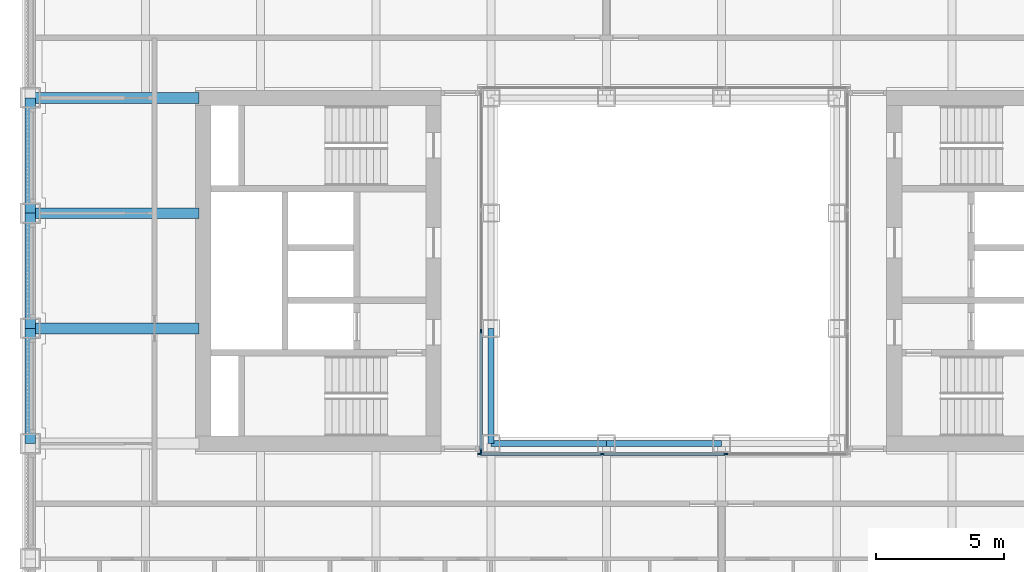
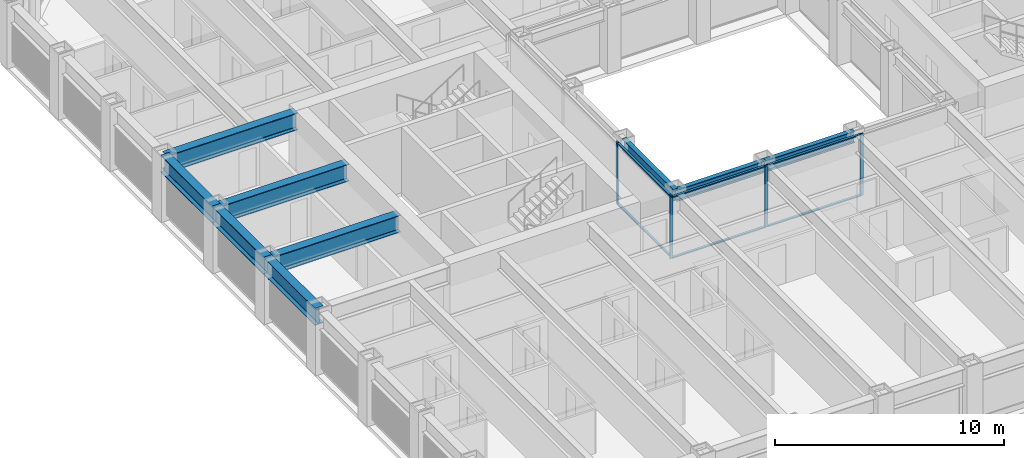
# One storey, part 3 of 21: 11 members, 9 beams, 2 elements without a shape of their own.
"""IFC4 building model written with IfcOpenShell, lengths in metres."""

from ifc_helpers import new_model, si_unit, direction, frame, origin, origin_2d, place, context, subcontext, project, spatial, rectangle, i_section, extrude, material, material_profile, profile_set, type_object, element, aggregate, save


model = new_model("IFC4")

# Units and contexts
model_context = context("Model", 3, precision=1e-05, world=origin(), true_north=direction((0.0, 1.0)))
body_context = subcontext(model_context, "Body", "Model", "MODEL_VIEW")
ifc_project = project(units=[si_unit("LENGTHUNIT", "METRE"), si_unit("AREAUNIT", "SQUARE_METRE"), si_unit("VOLUMEUNIT", "CUBIC_METRE"), si_unit("PLANEANGLEUNIT", "RADIAN"), si_unit("MASSUNIT", "GRAM", prefix="KILO")], contexts=[model_context])

# Site, building, storey
site_placement = place(None, origin())
site = spatial("IfcSite", under=ifc_project, at=site_placement, CompositionType="ELEMENT")
building_placement = place(site_placement, origin())
building = spatial("IfcBuilding", under=site, at=building_placement, Name="Msasa Ring Tower", CompositionType="ELEMENT")
storey_placement = place(building_placement, frame((0.0, 0.0, 82.5)))
storey = spatial("IfcBuildingStorey", under=building, at=storey_placement, Name="L21", CompositionType="ELEMENT", Elevation=82.5)

# Curtain wall, members
ifc_material_1 = material(Name="Aluminium curtain wall with clear glass", Category="aluminium")
curtain_wall_type = type_object("IfcCurtainWallType", Name="CW-W LIGHT WELL CURTAIN WALL", PredefinedType="NOTDEFINED", material=ifc_material_1)
curtain_wall_1_placement = place(storey_placement, origin())
curtain_wall_1 = element("IfcCurtainWall", 1, at=curtain_wall_1_placement, inside=storey, type_object=curtain_wall_type, Name="Light well curtain wall S L21", PredefinedType="NOTDEFINED")
ifc_material_2 = material(Name="Aluminium mullion", Category="aluminium")
ifc_material_profile_1 = material_profile(ifc_material_2, rectangle(XDim=0.06005859375, YDim=0.159912109375, at=origin_2d()), Name="AL 60x160")
ifc_profile_set_1 = profile_set([ifc_material_profile_1], Name="Aluminium mullion")
member_type_1 = type_object("IfcMemberType", Name="CW-W MULLION 60x160", PredefinedType="MULLION", material=ifc_profile_set_1)
member_1_placement = place(storey_placement, frame((-7.199951171875, -7.14990234375, 0.0), z_axis=(0.0, 0.0, 1.0), x_axis=(0.0, 1.0, 0.0)))
member_1 = element("IfcMember", 2, at=member_1_placement, type_object=member_type_1, Name="CW-W mullion 1", PredefinedType="MULLION", context=body_context, shape_type="SweptSolid", body=[
    extrude(rectangle(XDim=0.06005859375, YDim=0.159912109375, at=origin_2d()), origin(), (0.0, 0.0, 1.0), 3.300048828125),
])
member_2_placement = place(storey_placement, frame((-2.409912109375, -7.14990234375, 0.0), z_axis=(0.0, 0.0, 1.0), x_axis=(0.0, 1.0, 0.0)))
member_2 = element("IfcMember", 3, at=member_2_placement, type_object=member_type_1, Name="CW-W mullion 2", PredefinedType="MULLION", context=body_context, shape_type="SweptSolid", body=[
    extrude(rectangle(XDim=0.06005859375, YDim=0.159912109375, at=origin_2d()), origin(), (0.0, 0.0, 1.0), 3.300048828125),
])
member_3_placement = place(storey_placement, frame((2.409912109375, -7.14990234375, 0.0), z_axis=(0.0, 0.0, 1.0), x_axis=(0.0, 1.0, 0.0)))
member_3 = element("IfcMember", 4, at=member_3_placement, type_object=member_type_1, Name="CW-W mullion 3", PredefinedType="MULLION", context=body_context, shape_type="SweptSolid", body=[
    extrude(rectangle(XDim=0.06005859375, YDim=0.159912109375, at=origin_2d()), origin(), (0.0, 0.0, 1.0), 3.300048828125),
])

curtain_wall_2_placement = place(storey_placement, origin())
curtain_wall_2 = element("IfcCurtainWall", 5, at=curtain_wall_2_placement, inside=storey, type_object=curtain_wall_type, Name="Light well curtain wall W L21", PredefinedType="NOTDEFINED")
member_4_placement = place(storey_placement, frame((-7.14990234375, -7.0400390625, 0.0), z_axis=(0.0, 0.0, 1.0), x_axis=(-1.0, 0.0, 0.0)))
member_4 = element("IfcMember", 6, at=member_4_placement, type_object=member_type_1, Name="CW-W mullion 1", PredefinedType="MULLION", context=body_context, shape_type="SweptSolid", body=[
    extrude(rectangle(XDim=0.06005859375, YDim=0.159912109375, at=origin_2d()), origin(), (0.0, 0.0, 1.0), 3.300048828125),
])
member_5_placement = place(storey_placement, frame((-7.14990234375, -2.356689453125, 0.0), z_axis=(0.0, 0.0, 1.0), x_axis=(-1.0, 0.0, 0.0)))
member_5 = element("IfcMember", 7, at=member_5_placement, type_object=member_type_1, Name="CW-W mullion 2", PredefinedType="MULLION", context=body_context, shape_type="SweptSolid", body=[
    extrude(rectangle(XDim=0.06005859375, YDim=0.159912109375, at=origin_2d()), origin(), (0.0, 0.0, 1.0), 3.300048828125),
])

# Member
ifc_material_3 = material(Name="Aluminium transom", Category="aluminium")
ifc_material_profile_2 = material_profile(ifc_material_3, rectangle(XDim=0.1201171875, YDim=0.06005859375, at=origin_2d()), Name="AL 60x120")
ifc_profile_set_2 = profile_set([ifc_material_profile_2], Name="Aluminium transom")
member_type_2 = type_object("IfcMemberType", Name="CW-W TRANSOM 60x120", PredefinedType="USERDEFINED", material=ifc_profile_set_2)
member_6_placement = place(storey_placement, frame((-7.169921875, -7.14990234375, 0.030029296875), z_axis=(1.0, 0.0, 0.0), x_axis=(0.0, 1.0, 0.0)))
member_6 = element("IfcMember", 8, at=member_6_placement, type_object=member_type_2, Name="CW-W transom 1.1", ObjectType="TRANSOM", PredefinedType="USERDEFINED", context=body_context, shape_type="SweptSolid", body=[
    extrude(rectangle(XDim=0.1201171875, YDim=0.06005859375, at=origin_2d()), origin(), (0.0, 0.0, 1.0), 4.72998046875),
])

member_7_placement = place(storey_placement, frame((-7.169921875, -7.14990234375, 3.27001953125), z_axis=(1.0, 0.0, 0.0), x_axis=(0.0, 1.0, 0.0)))
member_7 = element("IfcMember", 9, at=member_7_placement, type_object=member_type_2, Name="CW-W transom 1.2", ObjectType="TRANSOM", PredefinedType="USERDEFINED", context=body_context, shape_type="SweptSolid", body=[
    extrude(rectangle(XDim=0.1201171875, YDim=0.06005859375, at=origin_2d()), origin(), (0.0, 0.0, 1.0), 4.72998046875),
])

member_8_placement = place(storey_placement, frame((-2.3798828125, -7.14990234375, 0.030029296875), z_axis=(1.0, 0.0, 0.0), x_axis=(0.0, 1.0, 0.0)))
member_8 = element("IfcMember", 10, at=member_8_placement, type_object=member_type_2, Name="CW-W transom 2.1", ObjectType="TRANSOM", PredefinedType="USERDEFINED", context=body_context, shape_type="SweptSolid", body=[
    extrude(rectangle(XDim=0.1201171875, YDim=0.06005859375, at=origin_2d()), origin(), (0.0, 0.0, 1.0), 4.759765625),
])

member_9_placement = place(storey_placement, frame((-2.3798828125, -7.14990234375, 3.27001953125), z_axis=(1.0, 0.0, 0.0), x_axis=(0.0, 1.0, 0.0)))
member_9 = element("IfcMember", 11, at=member_9_placement, type_object=member_type_2, Name="CW-W transom 2.2", ObjectType="TRANSOM", PredefinedType="USERDEFINED", context=body_context, shape_type="SweptSolid", body=[
    extrude(rectangle(XDim=0.1201171875, YDim=0.06005859375, at=origin_2d()), origin(), (0.0, 0.0, 1.0), 4.759765625),
])

aggregate(curtain_wall_1, [member_1, member_2, member_3, member_6, member_7, member_8, member_9])

member_10_placement = place(storey_placement, frame((-7.14990234375, -7.010009765625, 0.030029296875), z_axis=(0.0, 1.0, 0.0), x_axis=(-1.0, 0.0, 0.0)))
member_10 = element("IfcMember", 12, at=member_10_placement, type_object=member_type_2, Name="CW-W transom 1.1", ObjectType="TRANSOM", PredefinedType="USERDEFINED", context=body_context, shape_type="SweptSolid", body=[
    extrude(rectangle(XDim=0.1201171875, YDim=0.06005859375, at=origin_2d()), origin(), (0.0, 0.0, 1.0), 4.623291015625),
])

member_11_placement = place(storey_placement, frame((-7.14990234375, -7.010009765625, 3.27001953125), z_axis=(0.0, 1.0, 0.0), x_axis=(-1.0, 0.0, 0.0)))
member_11 = element("IfcMember", 13, at=member_11_placement, type_object=member_type_2, Name="CW-W transom 1.2", ObjectType="TRANSOM", PredefinedType="USERDEFINED", context=body_context, shape_type="SweptSolid", body=[
    extrude(rectangle(XDim=0.1201171875, YDim=0.06005859375, at=origin_2d()), origin(), (0.0, 0.0, 1.0), 4.623291015625),
])

aggregate(curtain_wall_2, [member_4, member_5, member_10, member_11])

# Beams
ifc_material_4 = material(Name="Steel S355", Category="steel")
ifc_material_profile_3 = material_profile(ifc_material_4, i_section(OverallWidth=0.42041015625, OverallDepth=0.9208984375, WebThickness=0.021484375, FlangeThickness=0.03662109375, FilletRadius=0.024169921875, at=origin_2d()), Name="UB 914x419x388")
ifc_profile_set_3 = profile_set([ifc_material_profile_3], Name="Steel S355")
beam_type_1 = type_object("IfcBeamType", Name="FB2 UB 914x419x388", PredefinedType="BEAM", material=ifc_profile_set_3)
for number, where, z_axis, x_axis, name in (
    (14, (-24.75, -2.25, 2.839599609375), (1.0, 0.0, 0.0), (0.0, 1.0, 0.0), "Floor beam W -2.25 under L22"),
    (15, (-24.75, 2.25, 2.839599609375), (1.0, 0.0, 0.0), (0.0, 1.0, 0.0), "Floor beam W +2.25 under L22"),
):
    element("IfcBeam", number, at=place(storey_placement, frame(where, z_axis=z_axis, x_axis=x_axis)), inside=storey, type_object=beam_type_1, Name=name, PredefinedType="BEAM", context=body_context, shape_type="SweptSolid", body=[
        extrude(i_section(OverallWidth=0.42041015625, OverallDepth=0.9208984375, WebThickness=0.021484375, FlangeThickness=0.03662109375, FilletRadius=0.024169921875, at=origin_2d()), origin(), (0.0, 0.0, 1.0), 6.60009765625),
    ])
ifc_material_5 = material(Name="Steel S355", Category="steel")
ifc_material_profile_4 = material_profile(ifc_material_5, i_section(OverallWidth=0.42041015625, OverallDepth=0.9208984375, WebThickness=0.021484375, FlangeThickness=0.03662109375, FilletRadius=0.024169921875, at=origin_2d()), Name="UB 914x419x388")
ifc_profile_set_4 = profile_set([ifc_material_profile_4], Name="Steel S355")
beam_type_2 = type_object("IfcBeamType", Name="GB1 UB 914x419x388", PredefinedType="BEAM", material=ifc_profile_set_4)
beam_placement = place(storey_placement, frame((-18.14990234375, 6.75, 2.839599609375), z_axis=(-1.0, 0.0, 0.0), x_axis=(0.0, -1.0, 0.0)))
element("IfcBeam", 16, at=beam_placement, inside=storey, type_object=beam_type_2, Name="Girder W +6.75 under L22", PredefinedType="BEAM", context=body_context, shape_type="SweptSolid", body=[
    extrude(i_section(OverallWidth=0.42041015625, OverallDepth=0.9208984375, WebThickness=0.021484375, FlangeThickness=0.03662109375, FilletRadius=0.024169921875, at=origin_2d()), origin(), (0.0, 0.0, 1.0), 6.60009765625),
])
ifc_material_6 = material(Name="Steel S355", Category="steel")
ifc_material_profile_5 = material_profile(ifc_material_6, i_section(OverallWidth=0.230224609375, OverallDepth=0.6171875, WebThickness=0.01318359375, FlangeThickness=0.022216796875, FilletRadius=0.0126953125, at=origin_2d()), Name="UB 610x229x140")
ifc_profile_set_5 = profile_set([ifc_material_profile_5], Name="Steel S355")
beam_type_3 = type_object("IfcBeamType", Name="RB1 UB 610x229x140", PredefinedType="BEAM", material=ifc_profile_set_5)
for number, where, z_axis, x_axis, name in (
    (17, (-6.75, -2.25, 2.991455078125), (0.0, -1.0, 0.0), (1.0, 0.0, 0.0), "Inner ring beam IR-6.75-2.25 under L22"),
    (18, (-6.75, -6.75, 2.991455078125), (1.0, 0.0, 0.0), (0.0, 1.0, 0.0), "Inner ring beam IR-6.75-6.75 under L22"),
    (19, (-2.25, -6.75, 2.991455078125), (1.0, 0.0, 0.0), (0.0, 1.0, 0.0), "Inner ring beam IR-2.25-6.75 under L22"),
):
    element("IfcBeam", number, at=place(storey_placement, frame(where, z_axis=z_axis, x_axis=x_axis)), inside=storey, type_object=beam_type_3, Name=name, PredefinedType="BEAM", context=body_context, shape_type="SweptSolid", body=[
        extrude(i_section(OverallWidth=0.230224609375, OverallDepth=0.6171875, WebThickness=0.01318359375, FlangeThickness=0.022216796875, FilletRadius=0.0126953125, at=origin_2d()), origin(), (0.0, 0.0, 1.0), 4.5),
    ])
ifc_material_7 = material(Name="Steel S355", Category="steel")
ifc_material_profile_6 = material_profile(ifc_material_7, i_section(OverallWidth=0.42041015625, OverallDepth=0.9208984375, WebThickness=0.021484375, FlangeThickness=0.03662109375, FilletRadius=0.024169921875, at=origin_2d()), Name="UB 914x419x388")
ifc_profile_set_6 = profile_set([ifc_material_profile_6], Name="Steel S355")
beam_type_4 = type_object("IfcBeamType", Name="SB1 UB 914x419x388", PredefinedType="SPANDREL", material=ifc_profile_set_6)
for number, where, z_axis, x_axis, name in (
    (20, (-24.75, -2.25, 2.839599609375), (0.0, -1.0, 0.0), (1.0, 0.0, 0.0), "Spandrel W-2.25 to W-6.75 under L22"),
    (21, (-24.75, 6.75, 2.839599609375), (0.0, -1.0, 0.0), (1.0, 0.0, 0.0), "Spandrel W+6.75 to W+2.25 under L22"),
    (22, (-24.75, 2.25, 2.839599609375), (0.0, -1.0, 0.0), (1.0, 0.0, 0.0), "Spandrel W+2.25 to W-2.25 under L22"),
):
    element("IfcBeam", number, at=place(storey_placement, frame(where, z_axis=z_axis, x_axis=x_axis)), inside=storey, type_object=beam_type_4, Name=name, PredefinedType="SPANDREL", context=body_context, shape_type="SweptSolid", body=[
        extrude(i_section(OverallWidth=0.42041015625, OverallDepth=0.9208984375, WebThickness=0.021484375, FlangeThickness=0.03662109375, FilletRadius=0.024169921875, at=origin_2d()), origin(), (0.0, 0.0, 1.0), 4.5),
    ])

save(model, "model.ifc")
